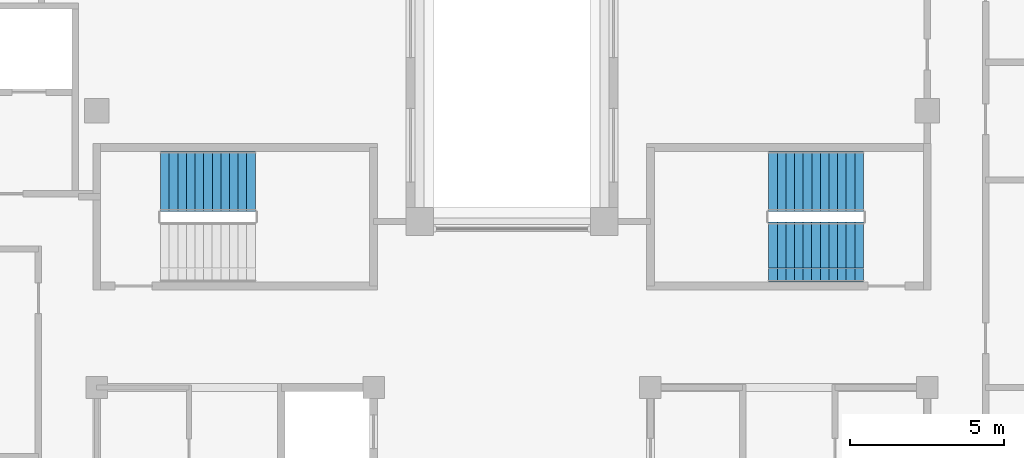
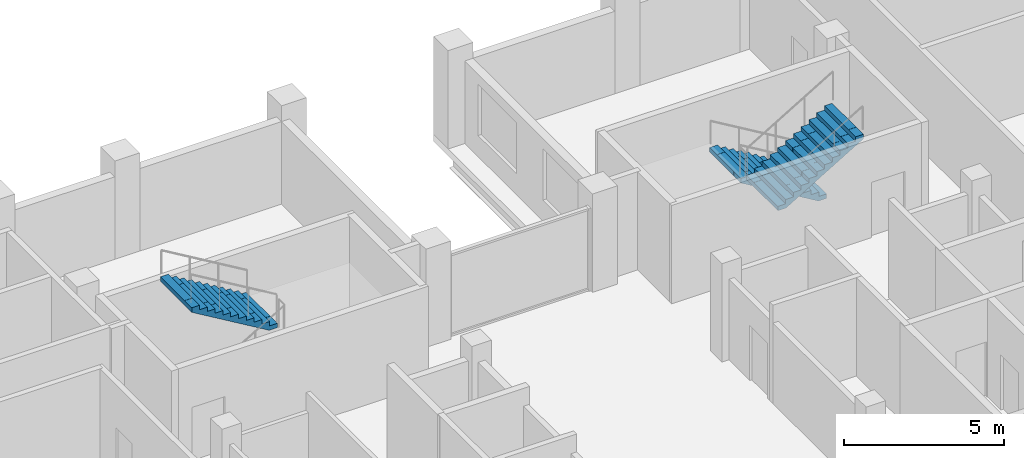
# One storey, part 12 of 13: 3 stair flights, 2 elements without a shape of their own.
"""IFC4 building model written with IfcOpenShell, lengths in metres."""

from ifc_helpers import new_model, si_unit, direction, frame, origin, place, context, subcontext, project, spatial, polyline, outline, extrude, material, type_object, element, aggregate, save


model = new_model("IFC4")

# Units and contexts
model_context = context("Model", 3, precision=1e-05, world=origin(), true_north=direction((0.0, 1.0)))
body_context = subcontext(model_context, "Body", "Model", "MODEL_VIEW")
ifc_project = project(units=[si_unit("LENGTHUNIT", "METRE"), si_unit("AREAUNIT", "SQUARE_METRE"), si_unit("VOLUMEUNIT", "CUBIC_METRE"), si_unit("PLANEANGLEUNIT", "RADIAN"), si_unit("MASSUNIT", "GRAM", prefix="KILO")], contexts=[model_context])

# Site, building, storey
site_placement = place(None, origin())
site = spatial("IfcSite", under=ifc_project, at=site_placement, CompositionType="ELEMENT")
building_placement = place(site_placement, origin())
building = spatial("IfcBuilding", under=site, at=building_placement, Name="Corbelhall Arena Tower", CompositionType="ELEMENT")
storey_placement = place(building_placement, frame((0.0, 0.0, 304.0)))
storey = spatial("IfcBuildingStorey", under=building, at=storey_placement, Name="L66", CompositionType="ELEMENT", Elevation=304.0)

# Stair, stair flight
ifc_material = material(Name="Concrete C40/50", Category="concrete")
stair_type = type_object("IfcStairType", Name="IN-ST-TOWER", PredefinedType="HALF_TURN_STAIR", material=ifc_material)
stair_1_placement = place(storey_placement, origin())
stair_1 = element("IfcStair", 1, at=stair_1_placement, inside=storey, type_object=stair_type, Name="L66 Exit stair ST1", PredefinedType="HALF_TURN_STAIR")
stair_flight_type = type_object("IfcStairFlightType", Name="IN-SFL-RC", PredefinedType="STRAIGHT", material=ifc_material)
stair_flight_1_placement = place(storey_placement, frame((-8.344970703125, 15.699951171875, 2.0), z_axis=(0.0, 0.0, 1.0), x_axis=(-1.0, 0.0, 0.0)))
stair_flight_1 = element("IfcStairFlight", 2, at=stair_flight_1_placement, type_object=stair_flight_type, Name="ST1 flight 2", NumberOfRisers=12, NumberOfTreads=11, PredefinedType="STRAIGHT", RiserHeight=0.166666667, TreadLength=0.28, context=body_context, shape_type="SweptSolid", body=[
    extrude(outline(polyline([(0.0, 0.0), (0.0, 0.166748046875), (0.280029296875, 0.166748046875), (0.280029296875, 0.333251953125), (0.56005859375, 0.333251953125), (0.56005859375, 0.5), (0.840087890625, 0.5), (0.840087890625, 0.666748046875), (1.1201171875, 0.666748046875), (1.1201171875, 0.833251953125), (1.39990234375, 0.833251953125), (1.39990234375, 1.0), (1.679931640625, 1.0), (1.679931640625, 1.166748046875), (1.9599609375, 1.166748046875), (1.9599609375, 1.333251953125), (2.239990234375, 1.333251953125), (2.239990234375, 1.5), (2.52001953125, 1.5), (2.52001953125, 1.666748046875), (2.800048828125, 1.666748046875), (2.800048828125, 1.833251953125), (3.080078125, 1.833251953125), (3.080078125, 2.0), (3.080078125, 1.658935546875), (0.29296875, 0.0), (0.0, 0.0)])), frame((0.0, 0.97509765625, 0.0), z_axis=(0.0, -1.0, 0.0), x_axis=(1.0, 0.0, 0.0)), (0.0, 0.0, 1.0), 0.449951171875),
    extrude(outline(polyline([(0.0, 0.0), (0.0, 0.166748046875), (0.280029296875, 0.166748046875), (0.280029296875, 0.333251953125), (0.56005859375, 0.333251953125), (0.56005859375, 0.5), (0.840087890625, 0.5), (0.840087890625, 0.666748046875), (1.1201171875, 0.666748046875), (1.1201171875, 0.833251953125), (1.39990234375, 0.833251953125), (1.39990234375, 1.0), (1.679931640625, 1.0), (1.679931640625, 1.166748046875), (1.9599609375, 1.166748046875), (1.9599609375, 1.333251953125), (2.239990234375, 1.333251953125), (2.239990234375, 1.5), (2.52001953125, 1.5), (2.52001953125, 1.666748046875), (2.800048828125, 1.666748046875), (2.800048828125, 1.833251953125), (3.080078125, 1.833251953125), (3.080078125, 2.0), (3.080078125, 1.658935546875), (0.29296875, 0.0), (0.0, 0.0)])), frame((0.0, 0.52099609375, 0.0), z_axis=(0.0, -1.0, 0.0), x_axis=(1.0, 0.0, 0.0)), (0.0, 0.0, 1.0), 1.0419921875),
    extrude(outline(polyline([(0.0, 0.0), (0.0, 0.166748046875), (0.280029296875, 0.166748046875), (0.280029296875, 0.333251953125), (0.56005859375, 0.333251953125), (0.56005859375, 0.5), (0.840087890625, 0.5), (0.840087890625, 0.666748046875), (1.1201171875, 0.666748046875), (1.1201171875, 0.833251953125), (1.39990234375, 0.833251953125), (1.39990234375, 1.0), (1.679931640625, 1.0), (1.679931640625, 1.166748046875), (1.9599609375, 1.166748046875), (1.9599609375, 1.333251953125), (2.239990234375, 1.333251953125), (2.239990234375, 1.5), (2.52001953125, 1.5), (2.52001953125, 1.666748046875), (2.800048828125, 1.666748046875), (2.800048828125, 1.833251953125), (3.080078125, 1.833251953125), (3.080078125, 2.0), (3.080078125, 1.658935546875), (0.29296875, 0.0), (0.0, 0.0)])), frame((0.0, -0.52490234375, 0.0), z_axis=(0.0, -1.0, 0.0), x_axis=(1.0, 0.0, 0.0)), (0.0, 0.0, 1.0), 0.449951171875),
])
aggregate(stair_1, [stair_flight_1])

# Stair, stair flights
stair_2_placement = place(storey_placement, origin())
stair_2 = element("IfcStair", 3, at=stair_2_placement, inside=storey, type_object=stair_type, Name="L66 Exit stair ST3", PredefinedType="HALF_TURN_STAIR")
stair_flight_2_placement = place(storey_placement, frame((11.425048828125, 15.699951171875, 0.0), z_axis=(0.0, 0.0, 1.0), x_axis=(-1.0, 0.0, 0.0)))
stair_flight_2 = element("IfcStairFlight", 4, at=stair_flight_2_placement, type_object=stair_flight_type, Name="ST3 flight 1", NumberOfRisers=12, NumberOfTreads=11, PredefinedType="STRAIGHT", RiserHeight=0.166666667, TreadLength=0.28, context=body_context, shape_type="SweptSolid", body=[
    extrude(outline(polyline([(0.0, 0.0), (0.0, 0.166748046875), (0.280029296875, 0.166748046875), (0.280029296875, 0.333251953125), (0.56005859375, 0.333251953125), (0.56005859375, 0.5), (0.840087890625, 0.5), (0.840087890625, 0.666748046875), (1.1201171875, 0.666748046875), (1.1201171875, 0.833251953125), (1.39990234375, 0.833251953125), (1.39990234375, 1.0), (1.679931640625, 1.0), (1.679931640625, 1.166748046875), (1.9599609375, 1.166748046875), (1.9599609375, 1.333251953125), (2.239990234375, 1.333251953125), (2.239990234375, 1.5), (2.52001953125, 1.5), (2.52001953125, 1.666748046875), (2.800048828125, 1.666748046875), (2.800048828125, 1.833251953125), (3.080078125, 1.833251953125), (3.080078125, 2.0), (3.080078125, 1.658935546875), (0.29296875, 0.0), (0.0, 0.0)])), frame((0.0, 0.97509765625, 0.0), z_axis=(0.0, -1.0, 0.0), x_axis=(1.0, 0.0, 0.0)), (0.0, 0.0, 1.0), 0.449951171875),
    extrude(outline(polyline([(0.0, 0.0), (0.0, 0.166748046875), (0.280029296875, 0.166748046875), (0.280029296875, 0.333251953125), (0.56005859375, 0.333251953125), (0.56005859375, 0.5), (0.840087890625, 0.5), (0.840087890625, 0.666748046875), (1.1201171875, 0.666748046875), (1.1201171875, 0.833251953125), (1.39990234375, 0.833251953125), (1.39990234375, 1.0), (1.679931640625, 1.0), (1.679931640625, 1.166748046875), (1.9599609375, 1.166748046875), (1.9599609375, 1.333251953125), (2.239990234375, 1.333251953125), (2.239990234375, 1.5), (2.52001953125, 1.5), (2.52001953125, 1.666748046875), (2.800048828125, 1.666748046875), (2.800048828125, 1.833251953125), (3.080078125, 1.833251953125), (3.080078125, 2.0), (3.080078125, 1.658935546875), (0.29296875, 0.0), (0.0, 0.0)])), frame((0.0, 0.52099609375, 0.0), z_axis=(0.0, -1.0, 0.0), x_axis=(1.0, 0.0, 0.0)), (0.0, 0.0, 1.0), 1.0419921875),
    extrude(outline(polyline([(0.0, 0.0), (0.0, 0.166748046875), (0.280029296875, 0.166748046875), (0.280029296875, 0.333251953125), (0.56005859375, 0.333251953125), (0.56005859375, 0.5), (0.840087890625, 0.5), (0.840087890625, 0.666748046875), (1.1201171875, 0.666748046875), (1.1201171875, 0.833251953125), (1.39990234375, 0.833251953125), (1.39990234375, 1.0), (1.679931640625, 1.0), (1.679931640625, 1.166748046875), (1.9599609375, 1.166748046875), (1.9599609375, 1.333251953125), (2.239990234375, 1.333251953125), (2.239990234375, 1.5), (2.52001953125, 1.5), (2.52001953125, 1.666748046875), (2.800048828125, 1.666748046875), (2.800048828125, 1.833251953125), (3.080078125, 1.833251953125), (3.080078125, 2.0), (3.080078125, 1.658935546875), (0.29296875, 0.0), (0.0, 0.0)])), frame((0.0, -0.52490234375, 0.0), z_axis=(0.0, -1.0, 0.0), x_axis=(1.0, 0.0, 0.0)), (0.0, 0.0, 1.0), 0.449951171875),
])
stair_flight_3_placement = place(storey_placement, frame((8.344970703125, 13.39990234375, 2.0), z_axis=(0.0, 0.0, 1.0), x_axis=(1.0, 0.0, 0.0)))
stair_flight_3 = element("IfcStairFlight", 5, at=stair_flight_3_placement, type_object=stair_flight_type, Name="ST3 flight 2", NumberOfRisers=12, NumberOfTreads=11, PredefinedType="STRAIGHT", RiserHeight=0.166666667, TreadLength=0.28, context=body_context, shape_type="SweptSolid", body=[
    extrude(outline(polyline([(0.0, 0.0), (0.0, 0.166748046875), (0.280029296875, 0.166748046875), (0.280029296875, 0.333251953125), (0.56005859375, 0.333251953125), (0.56005859375, 0.5), (0.840087890625, 0.5), (0.840087890625, 0.666748046875), (1.1201171875, 0.666748046875), (1.1201171875, 0.833251953125), (1.39990234375, 0.833251953125), (1.39990234375, 1.0), (1.679931640625, 1.0), (1.679931640625, 1.166748046875), (1.9599609375, 1.166748046875), (1.9599609375, 1.333251953125), (2.239990234375, 1.333251953125), (2.239990234375, 1.5), (2.52001953125, 1.5), (2.52001953125, 1.666748046875), (2.800048828125, 1.666748046875), (2.800048828125, 1.833251953125), (3.080078125, 1.833251953125), (3.080078125, 2.0), (3.080078125, 1.658935546875), (0.29296875, 0.0), (0.0, 0.0)])), frame((0.0, 0.97509765625, 0.0), z_axis=(0.0, -1.0, 0.0), x_axis=(1.0, 0.0, 0.0)), (0.0, 0.0, 1.0), 0.449951171875),
    extrude(outline(polyline([(0.0, 0.0), (0.0, 0.166748046875), (0.280029296875, 0.166748046875), (0.280029296875, 0.333251953125), (0.56005859375, 0.333251953125), (0.56005859375, 0.5), (0.840087890625, 0.5), (0.840087890625, 0.666748046875), (1.1201171875, 0.666748046875), (1.1201171875, 0.833251953125), (1.39990234375, 0.833251953125), (1.39990234375, 1.0), (1.679931640625, 1.0), (1.679931640625, 1.166748046875), (1.9599609375, 1.166748046875), (1.9599609375, 1.333251953125), (2.239990234375, 1.333251953125), (2.239990234375, 1.5), (2.52001953125, 1.5), (2.52001953125, 1.666748046875), (2.800048828125, 1.666748046875), (2.800048828125, 1.833251953125), (3.080078125, 1.833251953125), (3.080078125, 2.0), (3.080078125, 1.658935546875), (0.29296875, 0.0), (0.0, 0.0)])), frame((0.0, 0.52099609375, 0.0), z_axis=(0.0, -1.0, 0.0), x_axis=(1.0, 0.0, 0.0)), (0.0, 0.0, 1.0), 1.0419921875),
    extrude(outline(polyline([(0.0, 0.0), (0.0, 0.166748046875), (0.280029296875, 0.166748046875), (0.280029296875, 0.333251953125), (0.56005859375, 0.333251953125), (0.56005859375, 0.5), (0.840087890625, 0.5), (0.840087890625, 0.666748046875), (1.1201171875, 0.666748046875), (1.1201171875, 0.833251953125), (1.39990234375, 0.833251953125), (1.39990234375, 1.0), (1.679931640625, 1.0), (1.679931640625, 1.166748046875), (1.9599609375, 1.166748046875), (1.9599609375, 1.333251953125), (2.239990234375, 1.333251953125), (2.239990234375, 1.5), (2.52001953125, 1.5), (2.52001953125, 1.666748046875), (2.800048828125, 1.666748046875), (2.800048828125, 1.833251953125), (3.080078125, 1.833251953125), (3.080078125, 2.0), (3.080078125, 1.658935546875), (0.29296875, 0.0), (0.0, 0.0)])), frame((0.0, -0.52490234375, 0.0), z_axis=(0.0, -1.0, 0.0), x_axis=(1.0, 0.0, 0.0)), (0.0, 0.0, 1.0), 0.449951171875),
])
aggregate(stair_2, [stair_flight_2, stair_flight_3])

save(model, "model.ifc")
